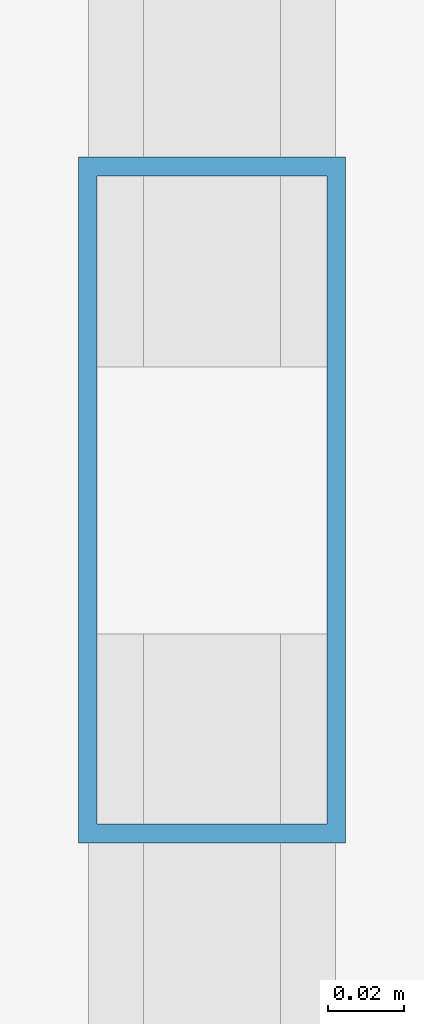
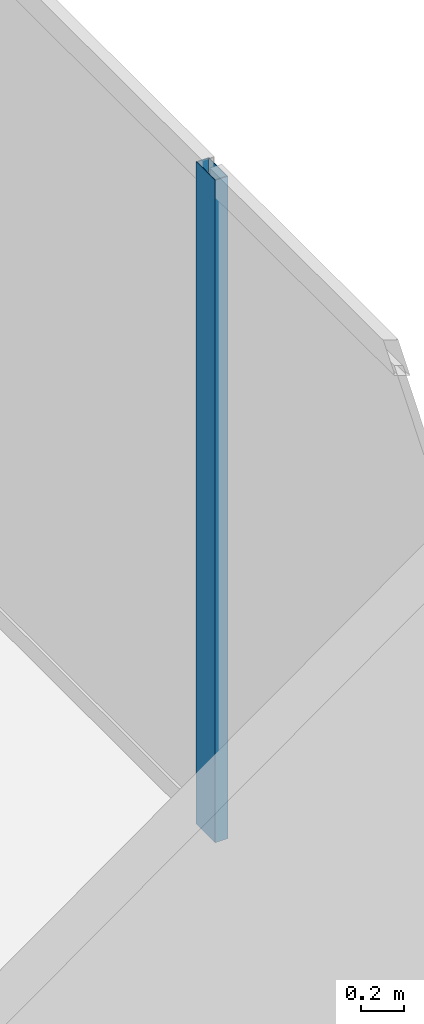
# One storey, part 24 of 33: 1 member, 1 element without a shape of its own.
"""IFC4 building model written with IfcOpenShell, lengths in metres."""

from ifc_helpers import new_model, si_unit, direction, frame, origin, origin_2d, place, context, subcontext, project, spatial, hollow_rectangle, extrude, source, transform, mapped, material, layer, layer_set, material_profile, profile_set, type_object, type_shapes, element, aggregate, save


model = new_model("IFC4")

# Units and contexts
model_context = context("Model", 3, precision=1e-05, world=origin(), true_north=direction((0.0, 1.0)))
body_context = subcontext(model_context, "Body", "Model", "MODEL_VIEW")
ifc_project = project(units=[si_unit("LENGTHUNIT", "METRE"), si_unit("AREAUNIT", "SQUARE_METRE"), si_unit("VOLUMEUNIT", "CUBIC_METRE"), si_unit("PLANEANGLEUNIT", "RADIAN"), si_unit("MASSUNIT", "GRAM", prefix="KILO")], contexts=[model_context])

# Site, building, storey
site_placement = place(None, origin())
site = spatial("IfcSite", under=ifc_project, at=site_placement, CompositionType="ELEMENT")
building_placement = place(site_placement, origin())
building = spatial("IfcBuilding", under=site, at=building_placement, Name="Haelvirn Gate Laboratories", CompositionType="ELEMENT")
storey_placement = place(building_placement, frame((0.0, 0.0, 267.0)))
storey = spatial("IfcBuildingStorey", under=building, at=storey_placement, Name="L64", CompositionType="ELEMENT", Elevation=267.0)

# Curtain wall, member
ifc_material_1 = material(Name="Anodised bronze unitised aluminium & triple low-E glass", Category="aluminium")
ifc_layer = layer(ifc_material_1, 0.176025390625, Name="CW-SYS-4")
ifc_layer_set = layer_set([ifc_layer], Name="Anodised bronze unitised aluminium & triple low-E glass")
curtain_wall_type = type_object("IfcCurtainWallType", Name="CW-SYS-4", PredefinedType="NOTDEFINED", material=ifc_layer_set)
curtain_wall_placement = place(storey_placement, origin())
curtain_wall = element("IfcCurtainWall", 1, at=curtain_wall_placement, inside=storey, type_object=curtain_wall_type, Name="L64 Unitised Curtain Wall CW-L64-P0-E07", PredefinedType="NOTDEFINED")
ifc_material_2 = material(Name="Extruded aluminium 6063-T6 (anodised bronze)", Category="aluminium")
ifc_material_profile = material_profile(ifc_material_2, hollow_rectangle(XDim=0.070068359375, YDim=0.179931640625, WallThickness=0.0048828125, at=origin_2d()), Name="CWM-180x70x5")
ifc_profile_set = profile_set([ifc_material_profile], Name="Extruded aluminium 6063-T6 (anodised bronze)")
member_type = type_object("IfcMemberType", Name="CWM-T180", PredefinedType="MULLION", material=ifc_profile_set)
shared_shape = source(origin(), body_context, "Body", "SweptSolid", [
    extrude(hollow_rectangle(XDim=0.070068359375, YDim=0.179931640625, WallThickness=0.0048828125, at=origin_2d()), origin(), (0.0, 0.0, 1.0), 3.800048828125),
])
type_shapes(member_type, [shared_shape])
member_placement = place(storey_placement, frame((70.699951171875, 24.300048828125, 0.0), z_axis=(0.0, 0.0, 1.0), x_axis=(-1.0, 0.0, 0.0)))
member = element("IfcMember", 2, at=member_placement, type_object=member_type, Name="CW4 mullion 2", PredefinedType="MULLION", context=body_context, shape_type="MappedRepresentation", body=[
    mapped(shared_shape, transform((0.0, 0.0, 0.0), scale=1.0)),
])
aggregate(curtain_wall, [member])

save(model, "model.ifc")
